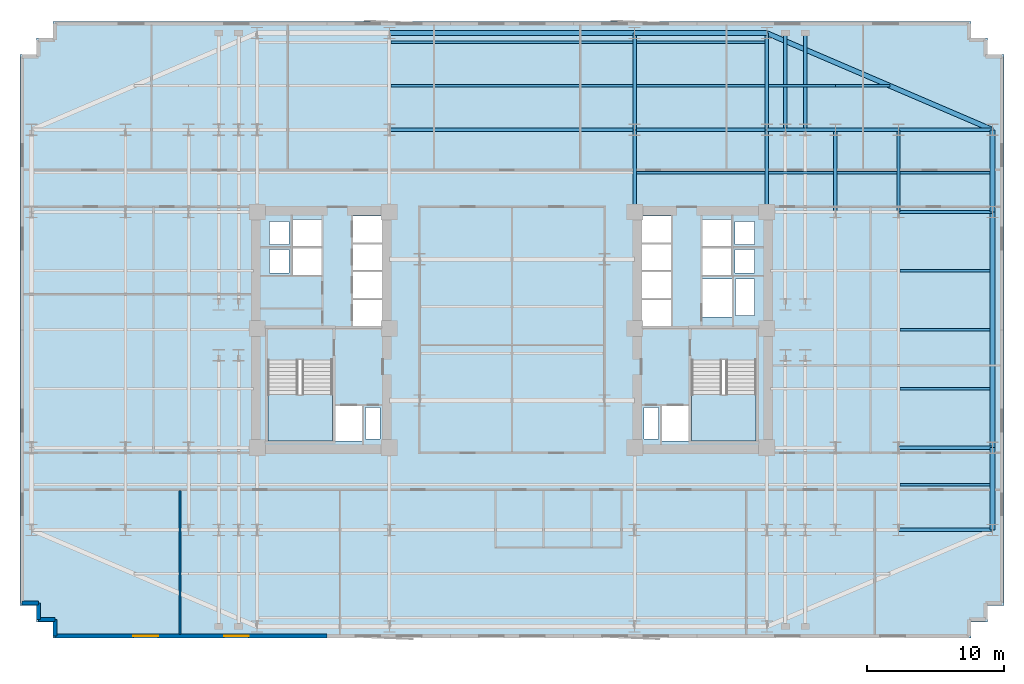
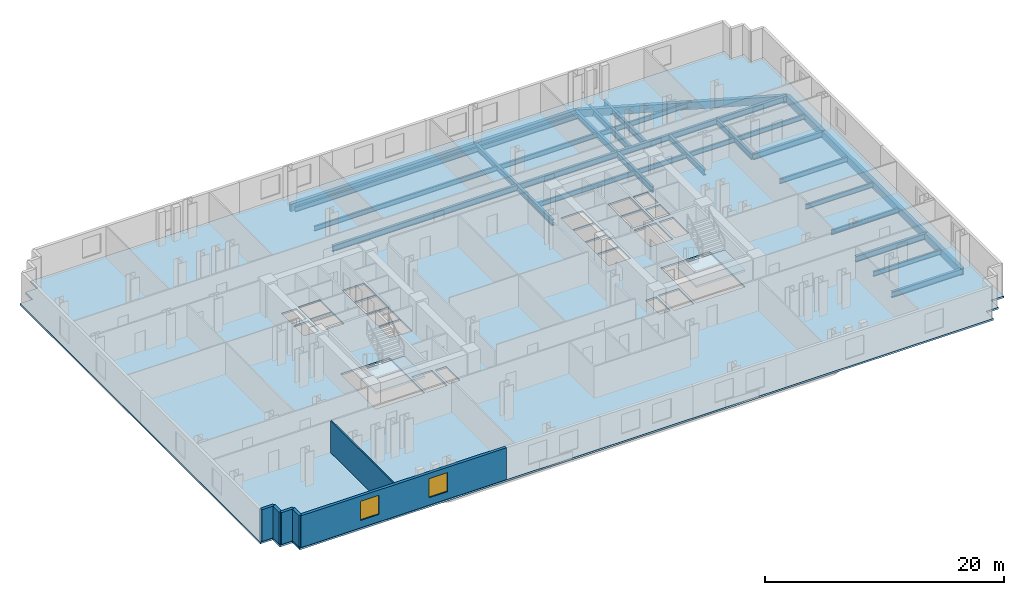
# One storey, part 3 of 10: 36 beams, 6 walls, 3 slabs, 2 windows, 2 openings, 2 elements without a shape of their own.
"""IFC4 building model written with IfcOpenShell, lengths in metres."""

from ifc_helpers import new_model, si_unit, direction, frame, frame_2d, origin, origin_2d, place, context, subcontext, project, spatial, polyline, rectangle, i_section, outline, extrude, material, layer, layer_set, material_profile, profile_set, type_object, element, fill, aggregate, save


model = new_model("IFC4")

# Units and contexts
model_context = context("Model", 3, precision=1e-05, world=origin(), true_north=direction((0.0, 1.0)))
body_context = subcontext(model_context, "Body", "Model", "MODEL_VIEW")
ifc_project = project(units=[si_unit("LENGTHUNIT", "METRE"), si_unit("AREAUNIT", "SQUARE_METRE"), si_unit("VOLUMEUNIT", "CUBIC_METRE"), si_unit("PLANEANGLEUNIT", "RADIAN"), si_unit("MASSUNIT", "GRAM", prefix="KILO")], contexts=[model_context])

# Site, building, storey
site_placement = place(None, origin())
site = spatial("IfcSite", under=ifc_project, at=site_placement, CompositionType="ELEMENT")
building_placement = place(site_placement, origin())
building = spatial("IfcBuilding", under=site, at=building_placement, Name="Velakula Bourse", CompositionType="ELEMENT")
storey_placement = place(building_placement, frame((0.0, 0.0, 62.25)))
storey = spatial("IfcBuildingStorey", under=building, at=storey_placement, Name="L16", CompositionType="ELEMENT", Elevation=62.25)

# Beams
ifc_material_1 = material(Name="Steel IS 2062 Grade 350 (E350)", Category="steel")
ifc_material_profile_1 = material_profile(ifc_material_1, i_section(OverallWidth=0.25, OverallDepth=0.60009765625, WebThickness=0.01171875, FlangeThickness=0.023681640625, at=origin_2d()), Name="Steel IS 2062 Grade 350 (E350)")
ifc_profile_set_1 = profile_set([ifc_material_profile_1], Name="Steel IS 2062 Grade 350 (E350)")
beam_type_1 = type_object("IfcBeamType", Name="BM-GRD-600H", PredefinedType="BEAM", material=ifc_profile_set_1)
for number, where, z_axis, x_axis, name in (
    (1, (8.949951171875, 8.60009765625, -0.47998046875), (0.0, 1.0, 0.0), (-1.0, 0.0, 0.0), "L16 Fulcrum Grid Girder FLC-ECN"),
    (2, (18.60009765625, 8.60009765625, -0.47998046875), (0.0, 1.0, 0.0), (-1.0, 0.0, 0.0), "L16 Fulcrum Grid Girder FLC-EN"),
):
    element("IfcBeam", number, at=place(storey_placement, frame(where, z_axis=z_axis, x_axis=x_axis)), inside=storey, type_object=beam_type_1, Name=name, PredefinedType="BEAM", context=body_context, shape_type="SweptSolid", body=[
        extrude(i_section(OverallWidth=0.25, OverallDepth=0.60009765625, WebThickness=0.01171875, FlangeThickness=0.023681640625, at=origin_2d()), origin(), (0.0, 0.0, 1.0), 6.0),
    ])
beam_1_placement = place(storey_placement, frame((-8.949951171875, 14.60009765625, -0.47998046875), z_axis=(1.0, 0.0, 0.0), x_axis=(0.0, 1.0, 0.0)))
element("IfcBeam", 3, at=beam_1_placement, inside=storey, type_object=beam_type_1, Name="L16 Fulcrum Grid Girder FLC-N2", PredefinedType="BEAM", context=body_context, shape_type="SweptSolid", body=[
    extrude(i_section(OverallWidth=0.25, OverallDepth=0.60009765625, WebThickness=0.01171875, FlangeThickness=0.023681640625, at=origin_2d()), origin(), (0.0, 0.0, 1.0), 17.89990234375),
])
beam_2_placement = place(storey_placement, frame((8.949951171875, 14.60009765625, -0.47998046875), z_axis=(1.0, 0.0, 0.0), x_axis=(0.0, 1.0, 0.0)))
element("IfcBeam", 4, at=beam_2_placement, inside=storey, type_object=beam_type_1, Name="L16 Fulcrum Grid Girder FLC-N3", PredefinedType="BEAM", context=body_context, shape_type="SweptSolid", body=[
    extrude(i_section(OverallWidth=0.25, OverallDepth=0.60009765625, WebThickness=0.01171875, FlangeThickness=0.023681640625, at=origin_2d()), origin(), (0.0, 0.0, 1.0), 9.650146484375),
])
beam_3_placement = place(storey_placement, frame((18.60009765625, 14.60009765625, -0.47998046875), z_axis=(1.0, 0.0, 0.0), x_axis=(0.0, 1.0, 0.0)))
element("IfcBeam", 5, at=beam_3_placement, inside=storey, type_object=beam_type_1, Name="L16 Fulcrum Grid Girder MWG-EN2", PredefinedType="BEAM", context=body_context, shape_type="SweptSolid", body=[
    extrude(i_section(OverallWidth=0.25, OverallDepth=0.60009765625, WebThickness=0.01171875, FlangeThickness=0.023681640625, at=origin_2d()), origin(), (0.0, 0.0, 1.0), 5.0),
])
beam_4_placement = place(storey_placement, frame((23.60009765625, 8.60009765625, -0.47998046875), z_axis=(0.0, 1.0, 0.0), x_axis=(-1.0, 0.0, 0.0)))
element("IfcBeam", 6, at=beam_4_placement, inside=storey, type_object=beam_type_1, Name="L16 Fulcrum Grid Girder MWG-ENS3", PredefinedType="BEAM", context=body_context, shape_type="SweptSolid", body=[
    extrude(i_section(OverallWidth=0.25, OverallDepth=0.60009765625, WebThickness=0.01171875, FlangeThickness=0.023681640625, at=origin_2d()), origin(), (0.0, 0.0, 1.0), 6.0),
])
beam_5_placement = place(storey_placement, frame((23.60009765625, 14.60009765625, -0.47998046875), z_axis=(1.0, 0.0, 0.0), x_axis=(0.0, 1.0, 0.0)))
element("IfcBeam", 7, at=beam_5_placement, inside=storey, type_object=beam_type_1, Name="L16 Fulcrum Grid Girder WNG-EN2", PredefinedType="BEAM", context=body_context, shape_type="SweptSolid", body=[
    extrude(i_section(OverallWidth=0.25, OverallDepth=0.60009765625, WebThickness=0.01171875, FlangeThickness=0.023681640625, at=origin_2d()), origin(), (0.0, 0.0, 1.0), 4.599853515625),
])
beam_6_placement = place(storey_placement, frame((28.199951171875, 8.60009765625, -0.47998046875), z_axis=(0.0, 1.0, 0.0), x_axis=(-1.0, 0.0, 0.0)))
element("IfcBeam", 8, at=beam_6_placement, inside=storey, type_object=beam_type_1, Name="L16 Fulcrum Grid Girder WNG-ENS3", PredefinedType="BEAM", context=body_context, shape_type="SweptSolid", body=[
    extrude(i_section(OverallWidth=0.25, OverallDepth=0.60009765625, WebThickness=0.01171875, FlangeThickness=0.023681640625, at=origin_2d()), origin(), (0.0, 0.0, 1.0), 6.0),
])
for number, where, z_axis, x_axis, name in (
    (9, (8.949951171875, 14.60009765625, -0.47998046875), (0.0, 1.0, 0.0), (-1.0, 0.0, 0.0), "L16 Perimeter Tie Girder N3"),
    (10, (18.60009765625, 14.60009765625, -0.47998046875), (0.0, 1.0, 0.0), (-1.0, 0.0, 0.0), "L16 Perimeter Tie Girder N4"),
):
    element("IfcBeam", number, at=place(storey_placement, frame(where, z_axis=z_axis, x_axis=x_axis)), inside=storey, type_object=beam_type_1, Name=name, PredefinedType="BEAM", context=body_context, shape_type="SweptSolid", body=[
        extrude(i_section(OverallWidth=0.25, OverallDepth=0.60009765625, WebThickness=0.01171875, FlangeThickness=0.023681640625, at=origin_2d()), origin(), (0.0, 0.0, 1.0), 7.0498046875),
    ])
for number, where, z_axis, x_axis, name in (
    (11, (28.199951171875, -14.60009765625, -0.47998046875), (1.0, 0.0, 0.0), (0.0, 1.0, 0.0), "L16 Perimeter Tie Girder E1"),
    (12, (28.199951171875, -8.60009765625, -0.47998046875), (1.0, 0.0, 0.0), (0.0, 1.0, 0.0), "L16 Perimeter Tie Girder E2"),
    (13, (28.199951171875, 8.60009765625, -0.47998046875), (1.0, 0.0, 0.0), (0.0, 1.0, 0.0), "L16 Perimeter Tie Girder E3"),
    (14, (28.199951171875, 14.60009765625, -0.47998046875), (1.0, 0.0, 0.0), (0.0, 1.0, 0.0), "L16 Perimeter Tie Girder E4"),
):
    element("IfcBeam", number, at=place(storey_placement, frame(where, z_axis=z_axis, x_axis=x_axis)), inside=storey, type_object=beam_type_1, Name=name, PredefinedType="BEAM", context=body_context, shape_type="SweptSolid", body=[
        extrude(i_section(OverallWidth=0.25, OverallDepth=0.60009765625, WebThickness=0.01171875, FlangeThickness=0.023681640625, at=origin_2d()), origin(), (0.0, 0.0, 1.0), 6.85009765625),
    ])
for number, where, z_axis, x_axis, name in (
    (15, (19.949951171875, 14.60009765625, -0.47998046875), (0.0, 1.0, 0.0), (-1.0, 0.0, 0.0), "L16 Perimeter Tie Girder P07"),
    (16, (21.39990234375, 14.60009765625, -0.47998046875), (0.0, 1.0, 0.0), (-1.0, 0.0, 0.0), "L16 Perimeter Tie Girder P08"),
):
    element("IfcBeam", number, at=place(storey_placement, frame(where, z_axis=z_axis, x_axis=x_axis)), inside=storey, type_object=beam_type_1, Name=name, PredefinedType="BEAM", context=body_context, shape_type="SweptSolid", body=[
        extrude(i_section(OverallWidth=0.25, OverallDepth=0.60009765625, WebThickness=0.01171875, FlangeThickness=0.023681640625, at=origin_2d()), origin(), (0.0, 0.0, 1.0), 7.0498046875),
    ])
ifc_material_profile_2 = material_profile(ifc_material_1, i_section(OverallWidth=0.179931640625, OverallDepth=0.5, WebThickness=0.01025390625, FlangeThickness=0.01708984375, at=origin_2d()), Name="Steel IS 2062 Grade 350 (E350)")
ifc_profile_set_2 = profile_set([ifc_material_profile_2], Name="Steel IS 2062 Grade 350 (E350)")
beam_type_2 = type_object("IfcBeamType", Name="JST-TWR-500", PredefinedType="JOIST", material=ifc_profile_set_2)
beam_7_placement = place(storey_placement, frame((28.324951171875, -11.300048828125, -0.429931640625), z_axis=(1.0, 0.0, 0.0), x_axis=(0.0, 1.0, 0.0)))
element("IfcBeam", 17, at=beam_7_placement, inside=storey, type_object=beam_type_2, Name="L16 Trading Floor Composite Joist 19", PredefinedType="JOIST", context=body_context, shape_type="SweptSolid", body=[
    extrude(i_section(OverallWidth=0.179931640625, OverallDepth=0.5, WebThickness=0.01025390625, FlangeThickness=0.01708984375, at=origin_2d()), origin(), (0.0, 0.0, 1.0), 6.550048828125),
])
beam_8_placement = place(storey_placement, frame((9.074951171875, 11.449951171875, -0.429931640625), z_axis=(1.0, 0.0, 0.0), x_axis=(0.0, 1.0, 0.0)))
element("IfcBeam", 18, at=beam_8_placement, inside=storey, type_object=beam_type_2, Name="L16 Trading Floor Composite Joist 25", PredefinedType="JOIST", context=body_context, shape_type="SweptSolid", body=[
    extrude(i_section(OverallWidth=0.179931640625, OverallDepth=0.5, WebThickness=0.01025390625, FlangeThickness=0.01708984375, at=origin_2d()), origin(), (0.0, 0.0, 1.0), 9.400146484375),
])
beam_9_placement = place(storey_placement, frame((18.72509765625, 11.449951171875, -0.429931640625), z_axis=(1.0, 0.0, 0.0), x_axis=(0.0, 1.0, 0.0)))
element("IfcBeam", 19, at=beam_9_placement, inside=storey, type_object=beam_type_2, Name="L16 Trading Floor Composite Joist 26", PredefinedType="JOIST", context=body_context, shape_type="SweptSolid", body=[
    extrude(i_section(OverallWidth=0.179931640625, OverallDepth=0.5, WebThickness=0.01025390625, FlangeThickness=0.01708984375, at=origin_2d()), origin(), (0.0, 0.0, 1.0), 4.75),
])
beam_10_placement = place(storey_placement, frame((23.72509765625, 11.449951171875, -0.429931640625), z_axis=(1.0, 0.0, 0.0), x_axis=(0.0, 1.0, 0.0)))
element("IfcBeam", 20, at=beam_10_placement, inside=storey, type_object=beam_type_2, Name="L16 Trading Floor Composite Joist 27", PredefinedType="JOIST", context=body_context, shape_type="SweptSolid", body=[
    extrude(i_section(OverallWidth=0.179931640625, OverallDepth=0.5, WebThickness=0.01025390625, FlangeThickness=0.01708984375, at=origin_2d()), origin(), (0.0, 0.0, 1.0), 4.349853515625),
])
beam_11_placement = place(storey_placement, frame((28.324951171875, 11.449951171875, -0.429931640625), z_axis=(1.0, 0.0, 0.0), x_axis=(0.0, 1.0, 0.0)))
element("IfcBeam", 21, at=beam_11_placement, inside=storey, type_object=beam_type_2, Name="L16 Trading Floor Composite Joist 28", PredefinedType="JOIST", context=body_context, shape_type="SweptSolid", body=[
    extrude(i_section(OverallWidth=0.179931640625, OverallDepth=0.5, WebThickness=0.01025390625, FlangeThickness=0.01708984375, at=origin_2d()), origin(), (0.0, 0.0, 1.0), 6.550048828125),
])
beam_12_placement = place(storey_placement, frame((-8.824951171875, 17.800048828125, -0.429931640625), z_axis=(1.0, 0.0, 0.0), x_axis=(0.0, 1.0, 0.0)))
element("IfcBeam", 22, at=beam_12_placement, inside=storey, type_object=beam_type_2, Name="L16 Trading Floor Composite Joist 32", PredefinedType="JOIST", context=body_context, shape_type="SweptSolid", body=[
    extrude(i_section(OverallWidth=0.179931640625, OverallDepth=0.5, WebThickness=0.01025390625, FlangeThickness=0.01708984375, at=origin_2d()), origin(), (0.0, 0.0, 1.0), 17.64990234375),
])
beam_13_placement = place(storey_placement, frame((9.074951171875, 17.800048828125, -0.429931640625), z_axis=(1.0, 0.0, 0.0), x_axis=(0.0, 1.0, 0.0)))
element("IfcBeam", 23, at=beam_13_placement, inside=storey, type_object=beam_type_2, Name="L16 Trading Floor Composite Joist 33", PredefinedType="JOIST", context=body_context, shape_type="SweptSolid", body=[
    extrude(i_section(OverallWidth=0.179931640625, OverallDepth=0.5, WebThickness=0.01025390625, FlangeThickness=0.01708984375, at=origin_2d()), origin(), (0.0, 0.0, 1.0), 9.400146484375),
])
beam_14_placement = place(storey_placement, frame((18.72509765625, 17.800048828125, -0.429931640625), z_axis=(1.0, 0.0, 0.0), x_axis=(0.0, 1.0, 0.0)))
element("IfcBeam", 24, at=beam_14_placement, inside=storey, type_object=beam_type_2, Name="L16 Trading Floor Composite Joist 34", PredefinedType="JOIST", context=body_context, shape_type="SweptSolid", body=[
    extrude(i_section(OverallWidth=0.179931640625, OverallDepth=0.5, WebThickness=0.01025390625, FlangeThickness=0.01708984375, at=origin_2d()), origin(), (0.0, 0.0, 1.0), 4.875),
])
beam_15_placement = place(storey_placement, frame((23.60009765625, 17.800048828125, -0.429931640625), z_axis=(1.0, 0.0, 0.0), x_axis=(0.0, 1.0, 0.0)))
element("IfcBeam", 25, at=beam_15_placement, inside=storey, type_object=beam_type_2, Name="L16 Trading Floor Composite Joist 35", PredefinedType="JOIST", context=body_context, shape_type="SweptSolid", body=[
    extrude(i_section(OverallWidth=0.179931640625, OverallDepth=0.5, WebThickness=0.01025390625, FlangeThickness=0.01708984375, at=origin_2d()), origin(), (0.0, 0.0, 1.0), 3.983154296875),
])
beam_16_placement = place(storey_placement, frame((-8.824951171875, 21.0, -0.429931640625), z_axis=(1.0, 0.0, 0.0), x_axis=(0.0, 1.0, 0.0)))
element("IfcBeam", 26, at=beam_16_placement, inside=storey, type_object=beam_type_2, Name="L16 Trading Floor Composite Joist 37", PredefinedType="JOIST", context=body_context, shape_type="SweptSolid", body=[
    extrude(i_section(OverallWidth=0.179931640625, OverallDepth=0.5, WebThickness=0.01025390625, FlangeThickness=0.01708984375, at=origin_2d()), origin(), (0.0, 0.0, 1.0), 17.64990234375),
])
beam_17_placement = place(storey_placement, frame((9.074951171875, 21.0, -0.429931640625), z_axis=(1.0, 0.0, 0.0), x_axis=(0.0, 1.0, 0.0)))
element("IfcBeam", 27, at=beam_17_placement, inside=storey, type_object=beam_type_2, Name="L16 Trading Floor Composite Joist 38", PredefinedType="JOIST", context=body_context, shape_type="SweptSolid", body=[
    extrude(i_section(OverallWidth=0.179931640625, OverallDepth=0.5, WebThickness=0.01025390625, FlangeThickness=0.01708984375, at=origin_2d()), origin(), (0.0, 0.0, 1.0), 9.400146484375),
])
for number, where, z_axis, x_axis, name in (
    (28, (28.324951171875, -4.300048828125, -0.429931640625), (1.0, 0.0, 0.0), (0.0, 1.0, 0.0), "L16 Trading Floor Composite Joist 46"),
    (29, (28.324951171875, 0.0, -0.429931640625), (1.0, 0.0, 0.0), (0.0, 1.0, 0.0), "L16 Trading Floor Composite Joist 52"),
    (30, (28.324951171875, 4.300048828125, -0.429931640625), (1.0, 0.0, 0.0), (0.0, 1.0, 0.0), "L16 Trading Floor Composite Joist 58"),
):
    element("IfcBeam", number, at=place(storey_placement, frame(where, z_axis=z_axis, x_axis=x_axis)), inside=storey, type_object=beam_type_2, Name=name, PredefinedType="JOIST", context=body_context, shape_type="SweptSolid", body=[
        extrude(i_section(OverallWidth=0.179931640625, OverallDepth=0.5, WebThickness=0.01025390625, FlangeThickness=0.01708984375, at=origin_2d()), origin(), (0.0, 0.0, 1.0), 6.550048828125),
    ])
ifc_material_2 = material(Name="Precast concrete M45 (fck 45 MPa)", Category="concrete")
ifc_material_profile_3 = material_profile(ifc_material_2, rectangle(XDim=0.35009765625, YDim=0.75, at=origin_2d()), Name="Precast concrete M45 (fck 45 MPa)")
ifc_profile_set_3 = profile_set([ifc_material_profile_3], Name="Precast concrete M45 (fck 45 MPa)")
beam_type_3 = type_object("IfcBeamType", Name="SPN-BRICK-750", PredefinedType="SPANDREL", material=ifc_profile_set_3)
beam_18_placement = place(storey_placement, frame((-8.949951171875, 21.64990234375, -0.554931640625), z_axis=(1.0, 0.0, 0.0), x_axis=(0.0, 1.0, 0.0)))
element("IfcBeam", 31, at=beam_18_placement, inside=storey, type_object=beam_type_3, Name="L16 Brick-Faced Precast Spandrel N2-N3", PredefinedType="SPANDREL", context=body_context, shape_type="SweptSolid", body=[
    extrude(rectangle(XDim=0.35009765625, YDim=0.75, at=origin_2d()), origin(), (0.0, 0.0, 1.0), 17.89990234375),
])
beam_19_placement = place(storey_placement, frame((8.949951171875, 21.64990234375, -0.554931640625), z_axis=(1.0, 0.0, 0.0), x_axis=(0.0, 1.0, 0.0)))
element("IfcBeam", 32, at=beam_19_placement, inside=storey, type_object=beam_type_3, Name="L16 Brick-Faced Precast Spandrel N3-N4", PredefinedType="SPANDREL", context=body_context, shape_type="SweptSolid", body=[
    extrude(rectangle(XDim=0.35009765625, YDim=0.75, at=origin_2d()), origin(), (0.0, 0.0, 1.0), 9.650146484375),
])
beam_20_placement = place(storey_placement, frame((35.050048828125, -14.60009765625, -0.554931640625), z_axis=(0.0, 1.0, 0.0), x_axis=(-1.0, 0.0, 0.0)))
element("IfcBeam", 33, at=beam_20_placement, inside=storey, type_object=beam_type_3, Name="L16 Brick-Faced Precast Spandrel E1-E2", PredefinedType="SPANDREL", context=body_context, shape_type="SweptSolid", body=[
    extrude(rectangle(XDim=0.35009765625, YDim=0.75, at=origin_2d()), origin(), (0.0, 0.0, 1.0), 6.0),
])
beam_21_placement = place(storey_placement, frame((35.050048828125, -8.60009765625, -0.554931640625), z_axis=(0.0, 1.0, 0.0), x_axis=(-1.0, 0.0, 0.0)))
element("IfcBeam", 34, at=beam_21_placement, inside=storey, type_object=beam_type_3, Name="L16 Brick-Faced Precast Spandrel E2-E3", PredefinedType="SPANDREL", context=body_context, shape_type="SweptSolid", body=[
    extrude(rectangle(XDim=0.35009765625, YDim=0.75, at=origin_2d()), origin(), (0.0, 0.0, 1.0), 17.2001953125),
])
beam_22_placement = place(storey_placement, frame((35.050048828125, 8.60009765625, -0.554931640625), z_axis=(0.0, 1.0, 0.0), x_axis=(-1.0, 0.0, 0.0)))
element("IfcBeam", 35, at=beam_22_placement, inside=storey, type_object=beam_type_3, Name="L16 Brick-Faced Precast Spandrel E3-E4", PredefinedType="SPANDREL", context=body_context, shape_type="SweptSolid", body=[
    extrude(rectangle(XDim=0.35009765625, YDim=0.75, at=origin_2d()), origin(), (0.0, 0.0, 1.0), 6.0),
])
beam_23_placement = place(storey_placement, frame((35.050048828125, 14.60009765625, -0.554931640625), z_axis=(-0.919148557947, 0.393911066642, 0.0), x_axis=(-0.393911066642, -0.919148557947, 0.0)))
element("IfcBeam", 36, at=beam_23_placement, inside=storey, type_object=beam_type_3, Name="L16 Brick-Faced Precast Spandrel E4-N4", PredefinedType="SPANDREL", context=body_context, shape_type="SweptSolid", body=[
    extrude(rectangle(XDim=0.35009765625, YDim=0.75, at=origin_2d()), origin(), (0.0, 0.0, 1.0), 17.89697265625),
])

# Stair, slab
ifc_material_3 = material(Name="Concrete M45 (fck 45 MPa)", Category="concrete")
stair_type = type_object("IfcStairType", Name="STR-DOG-390", PredefinedType="HALF_TURN_STAIR", material=ifc_material_3)
stair_1_placement = place(storey_placement, origin())
stair_1 = element("IfcStair", 37, at=stair_1_placement, inside=storey, type_object=stair_type, Name="L16 West Core Exit Stair ST-W1", PredefinedType="HALF_TURN_STAIR")
ifc_layer_1 = layer(ifc_material_3, 0.199951171875, Name="Concrete M45 (fck 45 MPa)", Category="concrete")
ifc_layer_set_1 = layer_set([ifc_layer_1], Name="Concrete M45 (fck 45 MPa)")
slab_type_1 = type_object("IfcSlabType", Name="SLB-STAIR-LND-200", PredefinedType="LANDING", material=ifc_layer_set_1)
slab_1_placement = place(storey_placement, frame((0.0, 0.0, 1.52490234375)))
slab_1 = element("IfcSlab", 38, at=slab_1_placement, type_object=slab_type_1, Name="ST-W1 landing 1", PredefinedType="LANDING", context=body_context, shape_type="SweptSolid", body=[
    extrude(outline(polyline([(-17.820068359375, -4.719970703125), (-17.820068359375, -8.10009765625), (-13.10009765625, -8.10009765625), (-13.10009765625, -4.719970703125), (-17.820068359375, -4.719970703125)])), origin(), (0.0, 0.0, 1.0), 0.2001953125),
])
aggregate(stair_1, [slab_1])

stair_2_placement = place(storey_placement, origin())
stair_2 = element("IfcStair", 39, at=stair_2_placement, inside=storey, type_object=stair_type, Name="L16 East Core Exit Stair ST-E1", PredefinedType="HALF_TURN_STAIR")
slab_2_placement = place(storey_placement, frame((0.0, 0.0, 1.52490234375)))
slab_2 = element("IfcSlab", 40, at=slab_2_placement, type_object=slab_type_1, Name="ST-E1 landing 1", PredefinedType="LANDING", context=body_context, shape_type="SweptSolid", body=[
    extrude(outline(polyline([(13.10009765625, -4.719970703125), (13.10009765625, -8.10009765625), (17.820068359375, -8.10009765625), (17.820068359375, -4.719970703125), (13.10009765625, -4.719970703125)])), origin(), (0.0, 0.0, 1.0), 0.2001953125),
])
aggregate(stair_2, [slab_2])

# Slab
ifc_material_4 = material(Name="Concrete M50 (fck 50 MPa)", Category="concrete")
ifc_layer_2 = layer(ifc_material_4, 0.179931640625, Name="Concrete M50 (fck 50 MPa)", Category="concrete")
ifc_layer_set_2 = layer_set([ifc_layer_2], Name="Concrete M50 (fck 50 MPa)")
slab_type_2 = type_object("IfcSlabType", Name="SLB-TWR-180", PredefinedType="FLOOR", material=ifc_layer_set_2)
slab_3_placement = place(storey_placement, frame((0.0, 0.0, -0.179931640625)))
element("IfcSlab", 41, at=slab_3_placement, inside=storey, type_object=slab_type_2, Name="L16 Suspended Structural Floor Slab", PredefinedType="FLOOR", context=body_context, shape_type="SweptSolid", body=[
    extrude(outline(polyline([(-33.5, -22.5), (33.5, -22.5), (33.5, -21.300048828125), (34.699951171875, -21.300048828125), (34.699951171875, -20.10009765625), (35.89990234375, -20.10009765625), (35.89990234375, 20.10009765625), (34.699951171875, 20.10009765625), (34.699951171875, 21.300048828125), (33.5, 21.300048828125), (33.5, 22.5), (-33.5, 22.5), (-33.5, 21.300048828125), (-34.699951171875, 21.300048828125), (-34.699951171875, 20.10009765625), (-35.89990234375, 20.10009765625), (-35.89990234375, -20.10009765625), (-34.699951171875, -20.10009765625), (-34.699951171875, -21.300048828125), (-33.5, -21.300048828125), (-33.5, -22.5)]), holes=[polyline([(-17.820068359375, -8.10009765625), (-13.10009765625, -8.10009765625), (-13.10009765625, -2.199951171875), (-17.820068359375, -2.199951171875), (-17.820068359375, -8.10009765625)]), polyline([(13.10009765625, -8.10009765625), (17.820068359375, -8.10009765625), (17.820068359375, -2.199951171875), (13.10009765625, -2.199951171875), (13.10009765625, -8.10009765625)]), polyline([(-12.89990234375, -8.10009765625), (-10.949951171875, -8.10009765625), (-10.949951171875, -5.550048828125), (-12.89990234375, -5.550048828125), (-12.89990234375, -8.10009765625)]), polyline([(10.949951171875, -8.10009765625), (12.89990234375, -8.10009765625), (12.89990234375, -5.550048828125), (10.949951171875, -5.550048828125), (10.949951171875, -8.10009765625)]), polyline([(13.89990234375, 0.919921875), (16.050048828125, 0.919921875), (16.050048828125, 3.719970703125), (13.89990234375, 3.719970703125), (13.89990234375, 0.919921875)]), polyline([(-10.679931640625, -7.97998046875), (-9.6201171875, -7.97998046875), (-9.6201171875, -5.669921875), (-10.679931640625, -5.669921875), (-10.679931640625, -7.97998046875)]), polyline([(-17.679931640625, 4.139892578125), (-16.27001953125, 4.139892578125), (-16.27001953125, 5.85009765625), (-17.679931640625, 5.85009765625), (-17.679931640625, 4.139892578125)]), polyline([(-17.679931640625, 6.2099609375), (-16.27001953125, 6.2099609375), (-16.27001953125, 7.919921875), (-17.679931640625, 7.919921875), (-17.679931640625, 6.2099609375)]), polyline([(9.6201171875, -7.97998046875), (10.679931640625, -7.97998046875), (10.679931640625, -5.669921875), (9.6201171875, -5.669921875), (9.6201171875, -7.97998046875)]), polyline([(16.27001953125, 4.139892578125), (17.679931640625, 4.139892578125), (17.679931640625, 5.85009765625), (16.27001953125, 5.85009765625), (16.27001953125, 4.139892578125)]), polyline([(16.27001953125, 6.2099609375), (17.679931640625, 6.2099609375), (17.679931640625, 7.919921875), (16.27001953125, 7.919921875), (16.27001953125, 6.2099609375)]), polyline([(16.320068359375, 1.0400390625), (17.679931640625, 1.0400390625), (17.679931640625, 3.699951171875), (16.320068359375, 3.699951171875), (16.320068359375, 1.0400390625)]), polyline([(-11.60009765625, 0.280029296875), (-9.5, 0.280029296875), (-9.5, 2.199951171875), (-11.60009765625, 2.199951171875), (-11.60009765625, 0.280029296875)]), polyline([(-11.60009765625, 2.31005859375), (-9.5, 2.31005859375), (-9.5, 4.22998046875), (-11.60009765625, 4.22998046875), (-11.60009765625, 2.31005859375)]), polyline([(-11.60009765625, 4.340087890625), (-9.5, 4.340087890625), (-9.5, 6.260009765625), (-11.60009765625, 6.260009765625), (-11.60009765625, 4.340087890625)]), polyline([(-11.60009765625, 6.3701171875), (-9.5, 6.3701171875), (-9.5, 8.2900390625), (-11.60009765625, 8.2900390625), (-11.60009765625, 6.3701171875)]), polyline([(9.5, 0.280029296875), (11.60009765625, 0.280029296875), (11.60009765625, 2.199951171875), (9.5, 2.199951171875), (9.5, 0.280029296875)]), polyline([(9.5, 2.31005859375), (11.60009765625, 2.31005859375), (11.60009765625, 4.22998046875), (9.5, 4.22998046875), (9.5, 2.31005859375)]), polyline([(9.5, 4.340087890625), (11.60009765625, 4.340087890625), (11.60009765625, 6.260009765625), (9.5, 6.260009765625), (9.5, 4.340087890625)]), polyline([(9.5, 6.3701171875), (11.60009765625, 6.3701171875), (11.60009765625, 8.2900390625), (9.5, 8.2900390625), (9.5, 6.3701171875)]), polyline([(-16.0, 4.02001953125), (-13.89990234375, 4.02001953125), (-13.89990234375, 5.969970703125), (-16.0, 5.969970703125), (-16.0, 4.02001953125)]), polyline([(-16.0, 6.090087890625), (-13.89990234375, 6.090087890625), (-13.89990234375, 8.0400390625), (-16.0, 8.0400390625), (-16.0, 6.090087890625)]), polyline([(13.89990234375, 4.02001953125), (16.0, 4.02001953125), (16.0, 5.969970703125), (13.89990234375, 5.969970703125), (13.89990234375, 4.02001953125)]), polyline([(13.89990234375, 6.090087890625), (16.0, 6.090087890625), (16.0, 8.0400390625), (13.89990234375, 8.0400390625), (13.89990234375, 6.090087890625)])]), origin(), (0.0, 0.0, 1.0), 0.179931640625),
])

# Wall, openings, windows
ifc_material_5 = material(Name="Red kilned clay facing brick masonry", Category="masonry")
ifc_layer_3 = layer(ifc_material_5, 0.280029296875, Name="Red kilned clay facing brick masonry", Category="masonry")
ifc_layer_set_3 = layer_set([ifc_layer_3], Name="Red kilned clay facing brick masonry")
wall_type_1 = type_object("IfcWallType", Name="WL-EXT-BRK-280", PredefinedType="STANDARD", material=ifc_layer_set_3)
wall_1_placement = place(storey_placement, frame((-13.5, -22.340087890625, 0.0), z_axis=(0.0, 0.0, 1.0), x_axis=(-1.0, 0.0, 0.0)))
wall_1 = element("IfcWall", 42, at=wall_1_placement, inside=storey, type_object=wall_type_1, Name="L16 S Brick Spandrel Wall B1", PredefinedType="STANDARD", context=body_context, shape_type="SweptSolid", body=[
    extrude(rectangle(XDim=19.840087890625, YDim=0.280029296875, at=frame_2d((9.919921875, 0.0))), origin(), (0.0, 0.0, 1.0), 3.25),
])
opening_1_placement = place(wall_1_placement, frame((5.71337890625, 0.0, 0.760009765625)))
opening_1 = element("IfcOpeningElement", 43, at=opening_1_placement, cuts=wall_1, Name="Opening W-01", PredefinedType="OPENING", context=body_context, shape_type="SweptSolid", body=[
    extrude(rectangle(XDim=1.800048828125, YDim=1.949951171875, at=frame_2d((0.89990234375, 0.97509765625))), frame((0.0, 0.14990234375, 0.0), z_axis=(0.0, -1.0, 0.0), x_axis=(1.0, 0.0, 0.0)), (0.0, 0.0, 1.0), 0.300048828125),
])
opening_2_placement = place(wall_1_placement, frame((12.32666015625, 0.0, 0.760009765625)))
opening_2 = element("IfcOpeningElement", 44, at=opening_2_placement, cuts=wall_1, Name="Opening W-01", PredefinedType="OPENING", context=body_context, shape_type="SweptSolid", body=[
    extrude(rectangle(XDim=1.800048828125, YDim=1.949951171875, at=frame_2d((0.89990234375, 0.97509765625))), frame((0.0, 0.14990234375, 0.0), z_axis=(0.0, -1.0, 0.0), x_axis=(1.0, 0.0, 0.0)), (0.0, 0.0, 1.0), 0.300048828125),
])
ifc_material_6 = material(Name="Double-glazed solar-control Low-E glass", Category="glass")
window_type = type_object("IfcWindowType", Name="WIN-TWR-1800x2100", PartitioningType="SINGLE_PANEL", PredefinedType="WINDOW", material=ifc_material_6)
window_1_placement = place(opening_1_placement, origin())
window_1 = element("IfcWindow", 45, at=window_1_placement, inside=storey, type_object=window_type, Name="L16 Deep-Set Recessed Window 1", OverallHeight=1.949951171875, OverallWidth=1.800048828125, PartitioningType="SINGLE_PANEL", PredefinedType="WINDOW", context=body_context, shape_type="SweptSolid", body=[
    extrude(rectangle(XDim=1.800048828125, YDim=1.949951171875, at=frame_2d((0.89990234375, 0.97509765625))), frame((0.0, 0.030029296875, 0.0), z_axis=(0.0, -1.0, 0.0), x_axis=(1.0, 0.0, 0.0)), (0.0, 0.0, 1.0), 0.06005859375),
])
fill(opening_1, window_1)
window_2_placement = place(opening_2_placement, origin())
window_2 = element("IfcWindow", 46, at=window_2_placement, inside=storey, type_object=window_type, Name="L16 Deep-Set Recessed Window 2", OverallHeight=1.949951171875, OverallWidth=1.800048828125, PartitioningType="SINGLE_PANEL", PredefinedType="WINDOW", context=body_context, shape_type="SweptSolid", body=[
    extrude(rectangle(XDim=1.800048828125, YDim=1.949951171875, at=frame_2d((0.89990234375, 0.97509765625))), frame((0.0, 0.030029296875, 0.0), z_axis=(0.0, -1.0, 0.0), x_axis=(1.0, 0.0, 0.0)), (0.0, 0.0, 1.0), 0.06005859375),
])
fill(opening_2, window_2)

# Walls
for number, where, z_axis, x_axis, name in (
    (47, (-35.739990234375, -19.93994140625, 0.0), (0.0, 0.0, 1.0), (1.0, 0.0, 0.0), "L16 Serrated Corner Brick Wall SW-1"),
    (48, (-34.5400390625, -19.93994140625, 0.0), (0.0, 0.0, 1.0), (0.0, -1.0, 0.0), "L16 Serrated Corner Brick Wall SW-2"),
    (49, (-34.5400390625, -21.139892578125, 0.0), (0.0, 0.0, 1.0), (1.0, 0.0, 0.0), "L16 Serrated Corner Brick Wall SW-3"),
):
    element("IfcWall", number, at=place(storey_placement, frame(where, z_axis=z_axis, x_axis=x_axis)), inside=storey, type_object=wall_type_1, Name=name, PredefinedType="STANDARD", context=body_context, shape_type="SweptSolid", body=[
        extrude(rectangle(XDim=1.199951171875, YDim=0.280029296875, at=frame_2d((0.60009765625, 0.0))), origin(), (0.0, 0.0, 1.0), 3.25),
    ])
wall_2_placement = place(storey_placement, frame((-33.340087890625, -21.139892578125, 0.0), z_axis=(0.0, 0.0, 1.0), x_axis=(0.0, -1.0, 0.0)))
element("IfcWall", 50, at=wall_2_placement, inside=storey, type_object=wall_type_1, Name="L16 Serrated Corner Brick Wall SW-4", PredefinedType="STANDARD", context=body_context, shape_type="SweptSolid", body=[
    extrude(rectangle(XDim=1.2001953125, YDim=0.280029296875, at=frame_2d((0.60009765625, 0.0))), origin(), (0.0, 0.0, 1.0), 3.25),
])
ifc_material_7 = material(Name="Fire-rated double-layer gypsum drywall partition", Category="gypsum")
ifc_layer_4 = layer(ifc_material_7, 0.1201171875, Name="Fire-rated double-layer gypsum drywall partition", Category="gypsum")
ifc_layer_set_4 = layer_set([ifc_layer_4], Name="Fire-rated double-layer gypsum drywall partition")
wall_type_2 = type_object("IfcWallType", Name="WL-PART-120", PredefinedType="STANDARD", material=ifc_layer_set_4)
wall_3_placement = place(storey_placement, frame((-24.220947265625, -22.219970703125, 0.0), z_axis=(0.0, 0.0, 1.0), x_axis=(0.0, 1.0, 0.0)))
element("IfcWall", 51, at=wall_3_placement, inside=storey, type_object=wall_type_2, Name="L16 Interior Partition WL-INT-L16-SL-D5", PredefinedType="STANDARD", context=body_context, shape_type="SweptSolid", body=[
    extrude(rectangle(XDim=10.47998046875, YDim=0.1201171875, at=frame_2d((5.239990234375, 0.0))), origin(), (0.0, 0.0, 1.0), 3.25),
])

save(model, "model.ifc")
